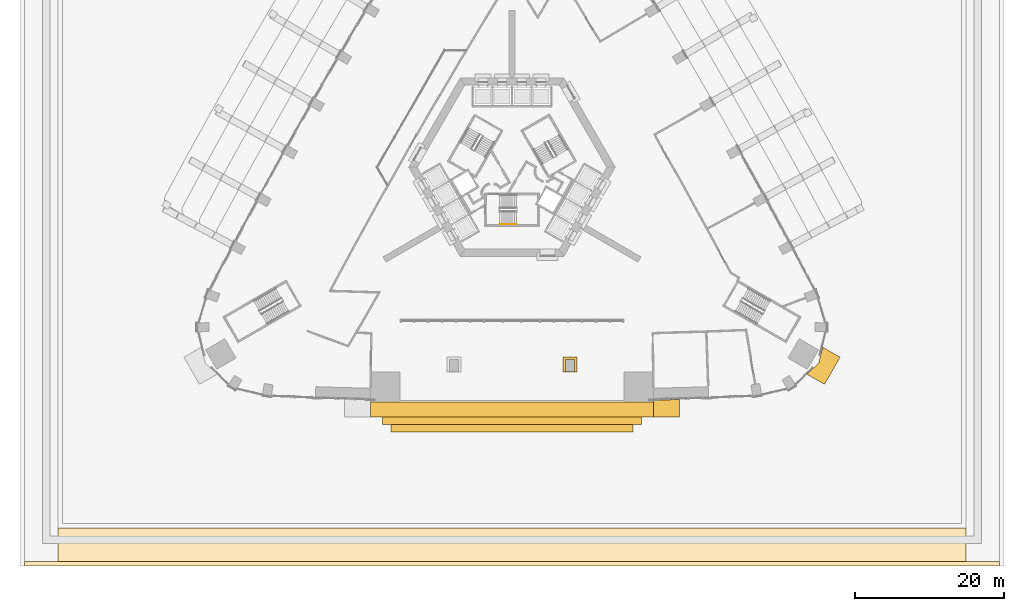
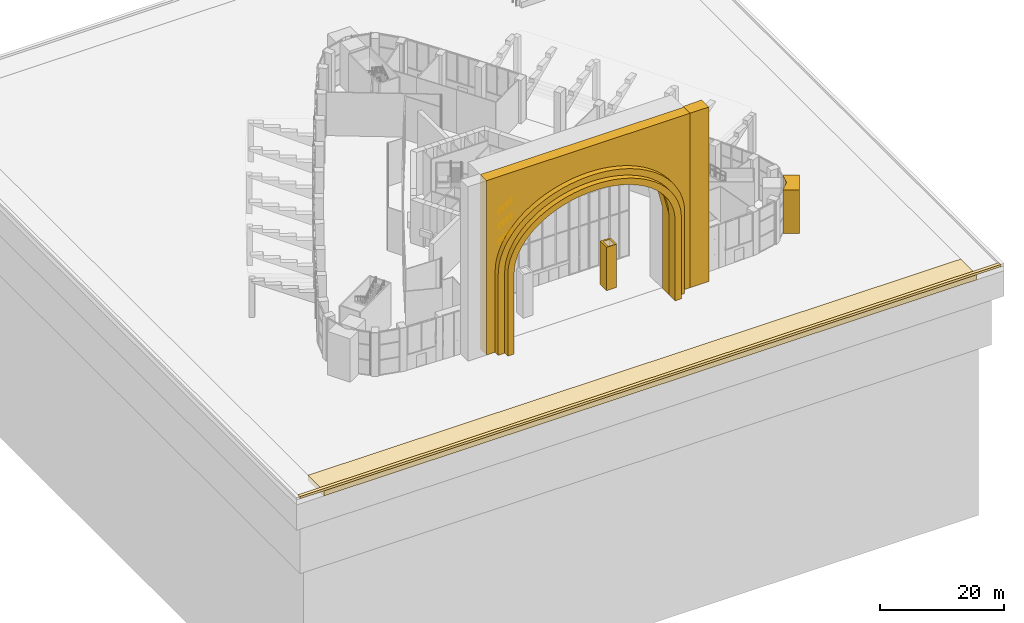
# One storey, part 28 of 36: 8 coverings, 3 railings.
"""IFC4 building model written with IfcOpenShell, lengths in metres."""

from ifc_helpers import new_model, si_unit, direction, frame, origin, origin_2d, place, context, subcontext, project, spatial, polyline, rectangle, circle, outline, extrude, material, layer, layer_set, type_object, element, save


model = new_model("IFC4")

# Units and contexts
model_context = context("Model", 3, precision=1e-05, world=origin(), true_north=direction((0.0, 1.0)))
body_context = subcontext(model_context, "Body", "Model", "MODEL_VIEW")
ifc_project = project(units=[si_unit("LENGTHUNIT", "METRE"), si_unit("AREAUNIT", "SQUARE_METRE"), si_unit("VOLUMEUNIT", "CUBIC_METRE"), si_unit("PLANEANGLEUNIT", "RADIAN"), si_unit("MASSUNIT", "GRAM", prefix="KILO")], contexts=[model_context])

# Site, building, storey
site_placement = place(None, origin())
site = spatial("IfcSite", under=ifc_project, at=site_placement, CompositionType="ELEMENT")
building_placement = place(site_placement, origin())
building = spatial("IfcBuilding", under=site, at=building_placement, Name="Entoto Arch Interchange Tower", CompositionType="ELEMENT")
storey_placement = place(building_placement, origin())
storey = spatial("IfcBuildingStorey", under=building, at=storey_placement, Name="L00", CompositionType="ELEMENT", Elevation=0.0)

# Coverings
ifc_material_1 = material(Name="Board-marked precast concrete C50/60", Category="concrete")
covering_type_1 = type_object("IfcCoveringType", Name="PRECAST FRAME COURSE", PredefinedType="CLADDING", material=ifc_material_1)
covering_1_placement = place(storey_placement, frame((-19.0, -29.0, 34.39990234375), z_axis=(0.0, 1.0, 0.0), x_axis=(1.0, 0.0, 0.0)))
element("IfcCovering", 1, at=covering_1_placement, inside=storey, type_object=covering_type_1, Name="Portal frame head", PredefinedType="CLADDING", context=body_context, shape_type="SweptSolid", body=[
    extrude(outline(polyline([(0.0, 0.0), (38.0, 0.0), (38.0, 34.39990234375), (34.0, 34.39990234375), (34.0, 18.39990234375), (33.06201171875, 14.572021484375), (32.125, 13.074951171875), (31.18798828125, 11.98681640625), (30.25, 11.1240234375), (29.31201171875, 10.411865234375), (28.375, 9.81298828125), (27.43798828125, 9.304931640625), (26.5, 8.8740234375), (25.56201171875, 8.5087890625), (24.625, 8.202880859375), (23.68798828125, 7.950927734375), (22.75, 7.7490234375), (21.81201171875, 7.594970703125), (20.875, 7.48583984375), (19.93798828125, 7.421875), (19.0, 7.39990234375), (18.06201171875, 7.421875), (17.125, 7.48583984375), (16.18798828125, 7.594970703125), (15.25, 7.7490234375), (14.31201171875, 7.950927734375), (13.375, 8.202880859375), (12.43798828125, 8.5087890625), (11.5, 8.8740234375), (10.56201171875, 9.304931640625), (9.625, 9.81298828125), (8.68798828125, 10.411865234375), (7.75, 11.1240234375), (6.81201171875, 11.98681640625), (5.875, 13.074951171875), (4.93798828125, 14.572021484375), (4.0, 18.39990234375), (4.0, 34.39990234375), (0.0, 34.39990234375), (0.0, 0.0)])), origin(), (0.0, 0.0, -1.0), 2.0),
])
covering_2_placement = place(storey_placement, origin())
element("IfcCovering", 2, at=covering_2_placement, inside=storey, type_object=covering_type_1, Name="Portal frame jamb E", PredefinedType="CLADDING", context=body_context, shape_type="SweptSolid", body=[
    extrude(outline(polyline([(22.5, -31.0), (19.0, -31.0), (19.0, -28.761962890625), (22.5, -28.656982421875), (22.5, -31.0)])), origin(), (0.0, 0.0, 1.0), 34.39990234375),
])
covering_3_placement = place(storey_placement, origin())
element("IfcCovering", 3, at=covering_3_placement, inside=storey, type_object=covering_type_1, Name="Podium corner pier SE L00", PredefinedType="CLADDING", context=body_context, shape_type="SweptSolid", body=[
    extrude(outline(polyline([(41.916015625, -26.625), (39.580078125, -25.27587890625), (41.14697265625, -23.756103515625), (41.679931640625, -21.638916015625), (44.01611328125, -22.987060546875), (41.916015625, -26.625)])), origin(), (0.0, 0.0, 1.0), 8.550048828125),
])
covering_4_placement = place(storey_placement, frame((15.0, -31.0, 0.0), z_axis=(0.0, 1.0, 0.0), x_axis=(0.0, 0.0, 1.0)))
element("IfcCovering", 4, at=covering_4_placement, inside=storey, type_object=covering_type_1, Name="Portal archivolt 1", PredefinedType="CLADDING", context=body_context, shape_type="SweptSolid", body=[
    extrude(outline(polyline([(0.0, 0.0), (16.0, 0.0), (16.863037109375, -0.0458984375), (17.720947265625, -0.18505859375), (18.568115234375, -0.4140625), (19.39892578125, -0.73388671875), (20.2099609375, -1.14208984375), (20.993896484375, -1.635009765625), (21.7470703125, -2.2099609375), (22.466064453125, -2.864990234375), (23.14404296875, -3.593994140625), (23.778076171875, -4.39306640625), (24.364013671875, -5.258056640625), (24.89892578125, -6.18310546875), (25.37890625, -7.1630859375), (25.801025390625, -8.18994140625), (26.1630859375, -9.260009765625), (26.4619140625, -10.364990234375), (26.696044921875, -11.498046875), (26.864990234375, -12.653076171875), (26.966064453125, -13.822998046875), (27.0, -15.0), (26.966064453125, -16.177001953125), (26.864990234375, -17.346923828125), (26.696044921875, -18.501953125), (26.4619140625, -19.635009765625), (26.1630859375, -20.739990234375), (25.801025390625, -21.81005859375), (25.37890625, -22.8369140625), (24.89892578125, -23.81689453125), (24.364013671875, -24.741943359375), (23.778076171875, -25.60693359375), (23.14404296875, -26.406005859375), (22.466064453125, -27.135009765625), (21.7470703125, -27.7900390625), (20.993896484375, -28.364990234375), (20.2099609375, -28.85791015625), (19.39892578125, -29.26611328125), (18.568115234375, -29.5859375), (17.720947265625, -29.81494140625), (16.863037109375, -29.9541015625), (16.0, -30.0), (0.0, -30.0), (0.0, -31.199951171875), (16.0, -31.199951171875), (16.95703125, -31.14990234375), (17.908935546875, -31.0009765625), (18.847900390625, -30.751953125), (19.77001953125, -30.406982421875), (20.6689453125, -29.967041015625), (21.5390625, -29.43408203125), (22.3740234375, -28.81298828125), (23.1708984375, -28.10595703125), (23.923095703125, -27.319091796875), (24.626953125, -26.455078125), (25.277099609375, -25.52099609375), (25.8701171875, -24.52197265625), (26.402099609375, -23.464111328125), (26.8701171875, -22.35498046875), (27.27099609375, -21.198974609375), (27.60302734375, -20.006103515625), (27.863037109375, -18.781982421875), (28.050048828125, -17.533935546875), (28.162109375, -16.27099609375), (28.199951171875, -15.0), (28.162109375, -13.72900390625), (28.050048828125, -12.466064453125), (27.863037109375, -11.218017578125), (27.60302734375, -9.993896484375), (27.27099609375, -8.801025390625), (26.8701171875, -7.64501953125), (26.402099609375, -6.535888671875), (25.8701171875, -5.47802734375), (25.277099609375, -4.47900390625), (24.626953125, -3.544921875), (23.923095703125, -2.680908203125), (23.1708984375, -1.89404296875), (22.3740234375, -1.18701171875), (21.5390625, -0.56591796875), (20.6689453125, -0.032958984375), (19.77001953125, 0.406982421875), (18.847900390625, 0.751953125), (17.908935546875, 1.0009765625), (16.95703125, 1.14990234375), (16.0, 1.199951171875), (0.0, 1.199951171875), (0.0, 0.0)])), origin(), (0.0, 0.0, -1.0), 2.0),
])
covering_5_placement = place(storey_placement, frame((16.199951171875, -31.0, 0.0), z_axis=(0.0, 1.0, 0.0), x_axis=(0.0, 0.0, 1.0)))
element("IfcCovering", 5, at=covering_5_placement, inside=storey, type_object=covering_type_1, Name="Portal archivolt 2", PredefinedType="CLADDING", context=body_context, shape_type="SweptSolid", body=[
    extrude(outline(polyline([(0.0, 0.0), (16.0, 0.0), (16.95703125, -0.050048828125), (17.908935546875, -0.198974609375), (18.847900390625, -0.447998046875), (19.77001953125, -0.79296875), (20.6689453125, -1.23291015625), (21.5390625, -1.765869140625), (22.3740234375, -2.386962890625), (23.1708984375, -3.093994140625), (23.923095703125, -3.880859375), (24.626953125, -4.744873046875), (25.277099609375, -5.678955078125), (25.8701171875, -6.677978515625), (26.402099609375, -7.73583984375), (26.8701171875, -8.844970703125), (27.27099609375, -10.0009765625), (27.60302734375, -11.19384765625), (27.863037109375, -12.41796875), (28.050048828125, -13.666015625), (28.162109375, -14.928955078125), (28.199951171875, -16.199951171875), (28.162109375, -17.470947265625), (28.050048828125, -18.73388671875), (27.863037109375, -19.98193359375), (27.60302734375, -21.2060546875), (27.27099609375, -22.39892578125), (26.8701171875, -23.554931640625), (26.402099609375, -24.6640625), (25.8701171875, -25.721923828125), (25.277099609375, -26.720947265625), (24.626953125, -27.655029296875), (23.923095703125, -28.51904296875), (23.1708984375, -29.305908203125), (22.3740234375, -30.012939453125), (21.5390625, -30.634033203125), (20.6689453125, -31.1669921875), (19.77001953125, -31.60693359375), (18.847900390625, -31.951904296875), (17.908935546875, -32.200927734375), (16.95703125, -32.349853515625), (16.0, -32.39990234375), (0.0, -32.39990234375), (0.0, -33.599853515625), (16.0, -33.599853515625), (17.051025390625, -33.5458984375), (18.095947265625, -33.385986328125), (19.1279296875, -33.118896484375), (20.14111328125, -32.748046875), (21.1279296875, -32.27587890625), (22.0830078125, -31.703857421875), (23.0009765625, -31.035888671875), (23.8759765625, -30.27685546875), (24.702880859375, -29.430908203125), (25.47509765625, -28.50390625), (26.18896484375, -27.5), (26.841064453125, -26.427001953125), (27.425048828125, -25.291015625), (27.93896484375, -24.098876953125), (28.3798828125, -22.85888671875), (28.743896484375, -21.576904296875), (29.030029296875, -20.261962890625), (29.235107421875, -18.921875), (29.35888671875, -17.56494140625), (29.39990234375, -16.199951171875), (29.35888671875, -14.8349609375), (29.235107421875, -13.47802734375), (29.030029296875, -12.137939453125), (28.743896484375, -10.822998046875), (28.3798828125, -9.541015625), (27.93896484375, -8.301025390625), (27.425048828125, -7.10888671875), (26.841064453125, -5.972900390625), (26.18896484375, -4.89990234375), (25.47509765625, -3.89599609375), (24.702880859375, -2.968994140625), (23.8759765625, -2.123046875), (23.0009765625, -1.364013671875), (22.0830078125, -0.696044921875), (21.1279296875, -0.1240234375), (20.14111328125, 0.34814453125), (19.1279296875, 0.718994140625), (18.095947265625, 0.986083984375), (17.051025390625, 1.14599609375), (16.0, 1.199951171875), (0.0, 1.199951171875), (0.0, 0.0)])), origin(), (0.0, 0.0, -1.0), 1.0),
])
covering_6_placement = place(storey_placement, origin())
element("IfcCovering", 6, at=covering_6_placement, inside=storey, type_object=covering_type_1, Name="Gate pier L00", PredefinedType="CLADDING", context=body_context, shape_type="SweptSolid", body=[
    extrude(outline(polyline([(6.85009765625, -22.949951171875), (8.75, -22.949951171875), (8.75, -24.9990234375), (6.85009765625, -24.9990234375), (6.85009765625, -22.949951171875)]), holes=[polyline([(7.199951171875, -23.300048828125), (7.199951171875, -24.89990234375), (8.39990234375, -24.89990234375), (8.39990234375, -23.300048828125), (7.199951171875, -23.300048828125)])]), origin(), (0.0, 0.0, 1.0), 8.550048828125),
])
ifc_layer_1 = layer(ifc_material_1, 1.0)
ifc_layer_set_1 = layer_set([ifc_layer_1], Name="Board-marked precast concrete C50/60")
covering_type_2 = type_object("IfcCoveringType", Name="SITE APRON PAVING 1000", PredefinedType="CLADDING", material=ifc_layer_set_1)
covering_7_placement = place(storey_placement, frame((0.0, -48.449951171875, -1.0), z_axis=(0.0, 0.0, 1.0), x_axis=(1.0, 0.0, 0.0)))
element("IfcCovering", 7, at=covering_7_placement, inside=storey, type_object=covering_type_2, Name="Site apron south", PredefinedType="CLADDING", context=body_context, shape_type="SweptSolid", body=[
    extrude(rectangle(XDim=121.800048828125, YDim=5.10009765625, at=origin_2d()), origin(), (0.0, 0.0, 1.0), 1.0),
])
ifc_layer_2 = layer(ifc_material_1, 0.60009765625)
ifc_layer_set_2 = layer_set([ifc_layer_2], Name="Board-marked precast concrete C50/60")
covering_type_3 = type_object("IfcCoveringType", Name="SITE KERB PRECAST 600", PredefinedType="CLADDING", material=ifc_layer_set_2)
covering_8_placement = place(storey_placement, frame((0.0, -50.699951171875, 0.0), z_axis=(0.0, 0.0, 1.0), x_axis=(1.0, 0.0, 0.0)))
element("IfcCovering", 8, at=covering_8_placement, inside=storey, type_object=covering_type_3, Name="Site kerb south", PredefinedType="CLADDING", context=body_context, shape_type="SweptSolid", body=[
    extrude(rectangle(XDim=130.800048828125, YDim=0.60009765625, at=origin_2d()), origin(), (0.0, 0.0, 1.0), 0.449951171875),
])

# Railings
ifc_material_2 = material(Name="Stainless steel 1.4301", Category="steel")
railing_type = type_object("IfcRailingType", Name="STAIR HANDRAIL 900 STEEL", PredefinedType="HANDRAIL", material=ifc_material_2)
for number, where, name in (
    (9, (-1.64990234375, -5.14990234375, 0.166748046875), "L00 ST-S stair handrail 1"),
    (10, (-1.64990234375, -5.14990234375, 3.166748046875), "L00 ST-S stair handrail 3"),
    (11, (-1.64990234375, -5.14990234375, 6.166748046875), "L00 ST-S stair handrail 5"),
):
    element("IfcRailing", number, at=place(storey_placement, frame(where)), inside=storey, type_object=railing_type, Name=name, PredefinedType="HANDRAIL", context=body_context, shape_type="SweptSolid", body=[
        extrude(circle(Radius=0.02392578125, at=origin_2d()), frame((0.0, 0.0, 0.8759765625), z_axis=(0.859305625298, 0.0, 0.511462454469), x_axis=(0.0, 1.0, 0.0)), (0.0, 0.0, 1.0), 2.606689453125),
        extrude(circle(Radius=0.02099609375, at=origin_2d()), origin(), (0.0, 0.0, 1.0), 0.851806640625),
        extrude(circle(Radius=0.02099609375, at=origin_2d()), frame((0.74658203125, 0.0, 0.4443359375)), (0.0, 0.0, 1.0), 0.851806640625),
        extrude(circle(Radius=0.02099609375, at=origin_2d()), frame((1.493408203125, 0.0, 0.888916015625)), (0.0, 0.0, 1.0), 0.851806640625),
        extrude(circle(Radius=0.02099609375, at=origin_2d()), frame((2.239990234375, 0.0, 1.333251953125)), (0.0, 0.0, 1.0), 0.851806640625),
    ])

save(model, "model.ifc")
